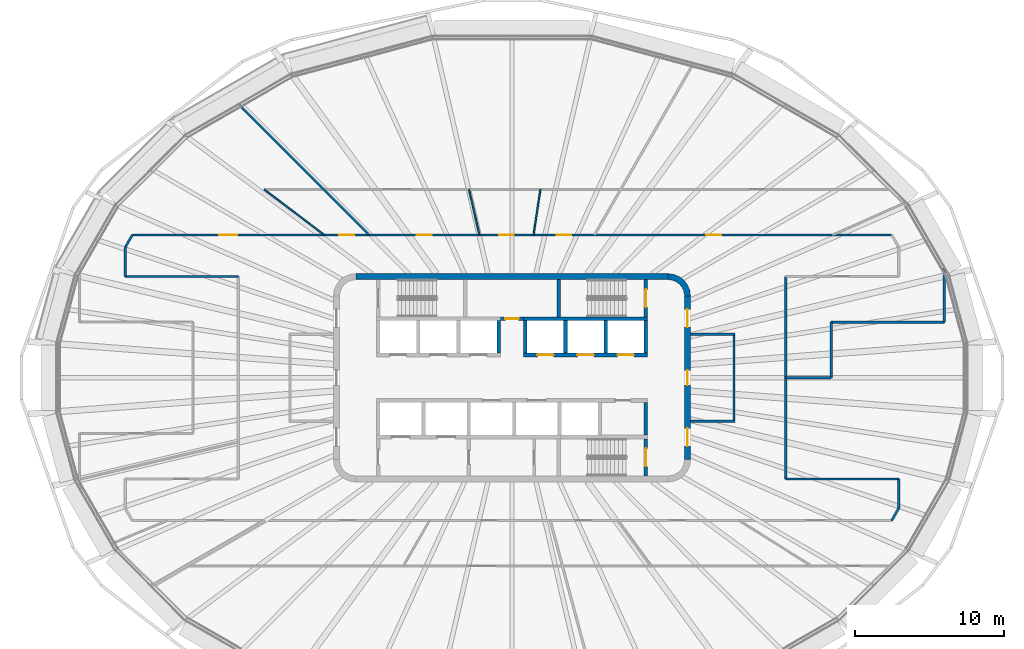
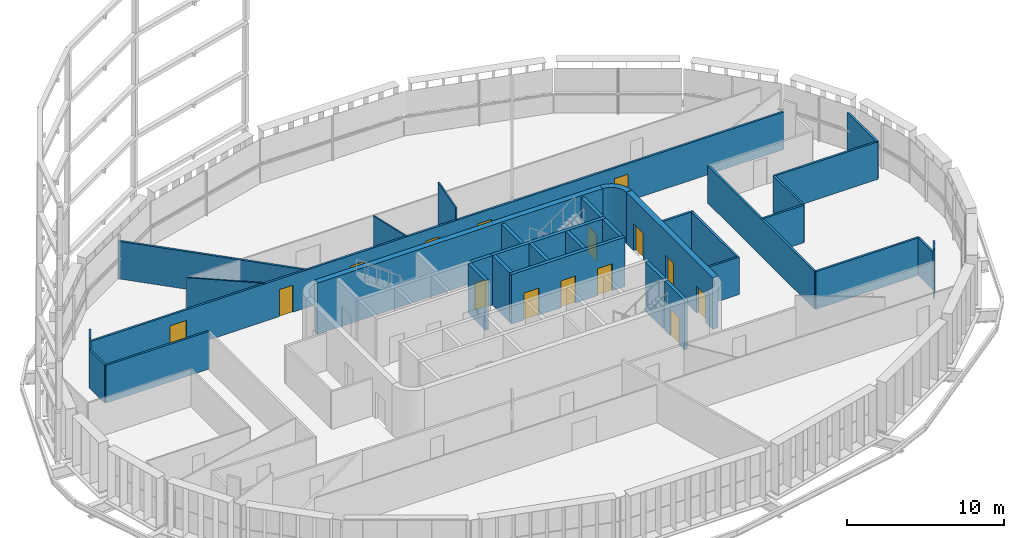
# One storey, part 11 of 20: 34 walls, 15 doors, 15 openings.
"""IFC4 building model written with IfcOpenShell, lengths in metres."""

from ifc_helpers import new_model, si_unit, direction, frame, frame_2d, origin, place, context, subcontext, project, spatial, polyline, rectangle, outline, extrude, material, layer, layer_set, type_object, element, fill, save


model = new_model("IFC4")

# Units and contexts
model_context = context("Model", 3, precision=1e-05, world=origin(), true_north=direction((0.0, 1.0)))
body_context = subcontext(model_context, "Body", "Model", "MODEL_VIEW")
ifc_project = project(units=[si_unit("LENGTHUNIT", "METRE"), si_unit("AREAUNIT", "SQUARE_METRE"), si_unit("VOLUMEUNIT", "CUBIC_METRE"), si_unit("PLANEANGLEUNIT", "RADIAN"), si_unit("MASSUNIT", "GRAM", prefix="KILO")], contexts=[model_context])

# Site, building, storey
site_placement = place(None, origin())
site = spatial("IfcSite", under=ifc_project, at=site_placement, CompositionType="ELEMENT")
building_placement = place(site_placement, origin())
building = spatial("IfcBuilding", under=site, at=building_placement, Name="Sahrelin Media Tower", CompositionType="ELEMENT")
storey_placement = place(building_placement, frame((0.0, 0.0, 213.60009765625)))
storey = spatial("IfcBuildingStorey", under=building, at=storey_placement, Name="L45", CompositionType="ELEMENT", Elevation=213.60009765625)

# Wall
ifc_material_1 = material(Name="Concrete C60/75", Category="concrete")
ifc_layer_1 = layer(ifc_material_1, 0.39990234375)
ifc_layer_set_1 = layer_set([ifc_layer_1], Name="Core wall 400")
wall_type_1 = type_object("IfcWallType", Name="Core wall 400", PredefinedType="SHEAR", material=ifc_layer_set_1)
wall_1_placement = place(storey_placement, frame((-10.5, 6.800048828125, 0.0), z_axis=(0.0, 0.0, 1.0), x_axis=(1.0, 0.0, 0.0)))
element("IfcWall", 1, at=wall_1_placement, inside=storey, type_object=wall_type_1, Name="Core wall N L45", PredefinedType="SHEAR", context=body_context, shape_type="SweptSolid", body=[
    extrude(rectangle(XDim=21.0, YDim=0.39990234375, at=frame_2d((10.5, 0.0))), origin(), (0.0, 0.0, 1.0), 4.0),
])

# Wall, openings, doors
wall_2_placement = place(storey_placement, frame((11.800048828125, -5.5, 0.0), z_axis=(0.0, 0.0, 1.0), x_axis=(0.0, 1.0, 0.0)))
wall_2 = element("IfcWall", 2, at=wall_2_placement, inside=storey, type_object=wall_type_1, Name="Core wall E L45", PredefinedType="SHEAR", context=body_context, shape_type="SweptSolid", body=[
    extrude(rectangle(XDim=11.0, YDim=0.39990234375, at=frame_2d((5.5, 0.0))), origin(), (0.0, 0.0, 1.0), 4.0),
])
opening_1_placement = place(wall_2_placement, frame((5.0, 0.0, 0.0)))
opening_1 = element("IfcOpeningElement", 3, at=opening_1_placement, cuts=wall_2, Name="Opening L45-D10", PredefinedType="OPENING", context=body_context, shape_type="SweptSolid", body=[
    extrude(rectangle(XDim=1.0, YDim=2.10009765625, at=frame_2d((0.5, 1.050048828125))), frame((0.0, 0.199951171875, 0.0), z_axis=(0.0, -1.0, 0.0), x_axis=(1.0, 0.0, 0.0)), (0.0, 0.0, 1.0), 0.39990234375),
])
opening_2_placement = place(wall_2_placement, frame((0.89990234375, 0.0, 0.0)))
opening_2 = element("IfcOpeningElement", 4, at=opening_2_placement, cuts=wall_2, Name="Opening L45-D13", PredefinedType="OPENING", context=body_context, shape_type="SweptSolid", body=[
    extrude(rectangle(XDim=1.199951171875, YDim=2.10009765625, at=frame_2d((0.60009765625, 1.050048828125))), frame((0.0, 0.199951171875, 0.0), z_axis=(0.0, -1.0, 0.0), x_axis=(1.0, 0.0, 0.0)), (0.0, 0.0, 1.0), 0.39990234375),
])
opening_3_placement = place(wall_2_placement, frame((8.89990234375, 0.0, 0.0)))
opening_3 = element("IfcOpeningElement", 5, at=opening_3_placement, cuts=wall_2, Name="Opening L45-D14", PredefinedType="OPENING", context=body_context, shape_type="SweptSolid", body=[
    extrude(rectangle(XDim=1.199951171875, YDim=2.10009765625, at=frame_2d((0.60009765625, 1.050048828125))), frame((0.0, 0.199951171875, 0.0), z_axis=(0.0, -1.0, 0.0), x_axis=(1.0, 0.0, 0.0)), (0.0, 0.0, 1.0), 0.39990234375),
])
ifc_material_2 = material(Name="Steel fire door leaf", Category="steel")
door_type_1 = type_object("IfcDoorType", Name="Fire door 1000 x 2100 EI 60", OperationType="NOTDEFINED", PredefinedType="DOOR", material=ifc_material_2)
door_1_placement = place(opening_1_placement, origin())
door_1 = element("IfcDoor", 6, at=door_1_placement, inside=storey, type_object=door_type_1, Name="Core room door", OperationType="SINGLE_SWING_RIGHT", OverallHeight=2.10009765625, OverallWidth=1.0, PredefinedType="DOOR", context=body_context, shape_type="SweptSolid", body=[
    extrude(rectangle(XDim=1.0, YDim=2.10009765625, at=frame_2d((0.5, 1.050048828125))), frame((0.0, 0.02490234375, 0.0), z_axis=(0.0, -1.0, 0.0), x_axis=(1.0, 0.0, 0.0)), (0.0, 0.0, 1.0), 0.050048828125),
])
fill(opening_1, door_1)
door_type_2 = type_object("IfcDoorType", Name="Lobby door 1200 x 2100 EI 60", OperationType="NOTDEFINED", PredefinedType="DOOR", material=ifc_material_2)
door_2_placement = place(opening_2_placement, origin())
door_2 = element("IfcDoor", 7, at=door_2_placement, inside=storey, type_object=door_type_2, Name="Lobby door", OperationType="SINGLE_SWING_LEFT", OverallHeight=2.10009765625, OverallWidth=1.199951171875, PredefinedType="DOOR", context=body_context, shape_type="SweptSolid", body=[
    extrude(rectangle(XDim=1.199951171875, YDim=2.10009765625, at=frame_2d((0.60009765625, 1.050048828125))), frame((0.0, 0.02490234375, 0.0), z_axis=(0.0, -1.0, 0.0), x_axis=(1.0, 0.0, 0.0)), (0.0, 0.0, 1.0), 0.050048828125),
])
fill(opening_2, door_2)
door_3_placement = place(opening_3_placement, origin())
door_3 = element("IfcDoor", 8, at=door_3_placement, inside=storey, type_object=door_type_2, Name="Lobby door", OperationType="SINGLE_SWING_LEFT", OverallHeight=2.10009765625, OverallWidth=1.199951171875, PredefinedType="DOOR", context=body_context, shape_type="SweptSolid", body=[
    extrude(rectangle(XDim=1.199951171875, YDim=2.10009765625, at=frame_2d((0.60009765625, 1.050048828125))), frame((0.0, 0.02490234375, 0.0), z_axis=(0.0, -1.0, 0.0), x_axis=(1.0, 0.0, 0.0)), (0.0, 0.0, 1.0), 0.050048828125),
])
fill(opening_3, door_3)

# Wall
wall_3_placement = place(storey_placement, origin())
element("IfcWall", 9, at=wall_3_placement, inside=storey, type_object=wall_type_1, Name="Core wall corner NE L45", PredefinedType="SHEAR", context=body_context, shape_type="SweptSolid", body=[
    extrude(outline(polyline([(10.5, 7.0), (10.5, 6.596435546875), (10.78369140625, 6.55908203125), (11.04833984375, 6.44970703125), (11.275390625, 6.275390625), (11.44970703125, 6.04833984375), (11.55908203125, 5.78369140625), (11.596435546875, 5.5), (12.0, 5.5), (11.948974609375, 5.88818359375), (11.799072265625, 6.25), (11.560791015625, 6.560791015625), (11.25, 6.799072265625), (10.88818359375, 6.948974609375), (10.5, 7.0)])), origin(), (0.0, 0.0, 1.0), 4.0),
])

# Wall, opening, door
ifc_material_3 = material(Name="Fire-rated gypsum board partition")
ifc_layer_2 = layer(ifc_material_3, 0.25)
ifc_layer_set_2 = layer_set([ifc_layer_2], Name="Fire-rated lobby wall 250")
wall_type_2 = type_object("IfcWallType", Name="Fire-rated lobby wall 250", PredefinedType="PARTITIONING", material=ifc_layer_set_2)
wall_4_placement = place(storey_placement, frame((-0.77490234375, 3.97509765625, 0.0), z_axis=(0.0, 0.0, 1.0), x_axis=(1.0, 0.0, 0.0)))
wall_4 = element("IfcWall", 10, at=wall_4_placement, inside=storey, type_object=wall_type_2, Name="Core lobby wall", PredefinedType="PARTITIONING", context=body_context, shape_type="SweptSolid", body=[
    extrude(rectangle(XDim=1.5498046875, YDim=0.25, at=frame_2d((0.77490234375, 0.0))), origin(), (0.0, 0.0, 1.0), 3.849853515625),
])
opening_4_placement = place(wall_4_placement, frame((0.324951171875, 0.0, 0.0)))
opening_4 = element("IfcOpeningElement", 11, at=opening_4_placement, cuts=wall_4, Name="Opening L45-D06", PredefinedType="OPENING", context=body_context, shape_type="SweptSolid", body=[
    extrude(rectangle(XDim=0.89990234375, YDim=2.10009765625, at=frame_2d((0.449951171875, 1.050048828125))), frame((0.0, 0.125, 0.0), z_axis=(0.0, -1.0, 0.0), x_axis=(1.0, 0.0, 0.0)), (0.0, 0.0, 1.0), 0.25),
])
door_type_3 = type_object("IfcDoorType", Name="Riser door 900 x 2100 EI 120", OperationType="NOTDEFINED", PredefinedType="DOOR", material=ifc_material_2)
door_4_placement = place(opening_4_placement, origin())
door_4 = element("IfcDoor", 12, at=door_4_placement, inside=storey, type_object=door_type_3, Name="Core room door", OperationType="SINGLE_SWING_LEFT", OverallHeight=2.10009765625, OverallWidth=0.89990234375, PredefinedType="DOOR", context=body_context, shape_type="SweptSolid", body=[
    extrude(rectangle(XDim=0.89990234375, YDim=2.10009765625, at=frame_2d((0.449951171875, 1.050048828125))), frame((0.0, 0.02490234375, 0.0), z_axis=(0.0, -1.0, 0.0), x_axis=(1.0, 0.0, 0.0)), (0.0, 0.0, 1.0), 0.050048828125),
])
fill(opening_4, door_4)

# Walls
ifc_layer_3 = layer(ifc_material_3, 0.14990234375)
ifc_layer_set_3 = layer_set([ifc_layer_3], Name="Fire-rated partition 150")
wall_type_3 = type_object("IfcWallType", Name="Fire-rated partition 150", PredefinedType="PARTITIONING", material=ifc_layer_set_3)
wall_5_placement = place(storey_placement, frame((14.925048828125, -2.85009765625, 0.0), z_axis=(0.0, 0.0, 1.0), x_axis=(0.0, 1.0, 0.0)))
element("IfcWall", 13, at=wall_5_placement, inside=storey, type_object=wall_type_3, Name="Core room fire partition", PredefinedType="PARTITIONING", context=body_context, shape_type="SweptSolid", body=[
    extrude(rectangle(XDim=5.7001953125, YDim=0.14990234375, at=frame_2d((2.85009765625, 0.0))), origin(), (0.0, 0.0, 1.0), 2.918212890625),
])
for number, where, z_axis, x_axis, name in (
    (14, (12.0, 2.925048828125, 0.0), (0.0, 0.0, 1.0), (1.0, 0.0, 0.0), "Core room fire partition"),
    (15, (12.0, -2.925048828125, 0.0), (0.0, 0.0, 1.0), (1.0, 0.0, 0.0), "Core room fire partition"),
):
    element("IfcWall", number, at=place(storey_placement, frame(where, z_axis=z_axis, x_axis=x_axis)), inside=storey, type_object=wall_type_3, Name=name, PredefinedType="PARTITIONING", context=body_context, shape_type="SweptSolid", body=[
        extrude(rectangle(XDim=3.0, YDim=0.14990234375, at=frame_2d((1.5, 0.0))), origin(), (0.0, 0.0, 1.0), 2.918212890625),
    ])
wall_6_placement = place(storey_placement, frame((-18.383056640625, 18.383056640625, 0.0), z_axis=(0.0, 0.0, 1.0), x_axis=(0.707106781187, -0.707106781187, 0.0)))
element("IfcWall", 16, at=wall_6_placement, inside=storey, type_object=wall_type_3, Name="Wall", PredefinedType="PARTITIONING", context=body_context, shape_type="SweptSolid", body=[
    extrude(rectangle(XDim=12.4208984375, YDim=0.14990234375, at=frame_2d((6.21044921875, 0.0))), origin(), (0.0, 0.0, 1.0), 2.927001953125),
])
wall_7_placement = place(storey_placement, frame((18.39990234375, -6.800048828125, 0.0), z_axis=(0.0, 0.0, 1.0), x_axis=(1.0, 0.0, 0.0)))
element("IfcWall", 17, at=wall_7_placement, inside=storey, type_object=wall_type_3, Name="Wall", PredefinedType="PARTITIONING", context=body_context, shape_type="SweptSolid", body=[
    extrude(rectangle(XDim=7.60009765625, YDim=0.14990234375, at=frame_2d((3.800048828125, 0.0))), origin(), (0.0, 0.0, 1.0), 2.927001953125),
])
wall_8_placement = place(storey_placement, frame((18.39990234375, 0.0, 0.0), z_axis=(0.0, 0.0, 1.0), x_axis=(1.0, 0.0, 0.0)))
element("IfcWall", 18, at=wall_8_placement, inside=storey, type_object=wall_type_3, Name="Wall", PredefinedType="PARTITIONING", context=body_context, shape_type="SweptSolid", body=[
    extrude(rectangle(XDim=3.06005859375, YDim=0.14990234375, at=frame_2d((1.530029296875, 0.0))), origin(), (0.0, 0.0, 1.0), 2.918212890625),
])
wall_9_placement = place(storey_placement, frame((21.4599609375, 3.739990234375, 0.0), z_axis=(0.0, 0.0, 1.0), x_axis=(1.0, 0.0, 0.0)))
element("IfcWall", 19, at=wall_9_placement, inside=storey, type_object=wall_type_3, Name="Wall", PredefinedType="PARTITIONING", context=body_context, shape_type="SweptSolid", body=[
    extrude(rectangle(XDim=7.60009765625, YDim=0.14990234375, at=frame_2d((3.800048828125, 0.0))), origin(), (0.0, 0.0, 1.0), 2.918212890625),
])
wall_10_placement = place(storey_placement, frame((-26.0, 6.800048828125, 0.0), z_axis=(0.0, 0.0, 1.0), x_axis=(1.0, 0.0, 0.0)))
element("IfcWall", 20, at=wall_10_placement, inside=storey, type_object=wall_type_3, Name="Wall", PredefinedType="PARTITIONING", context=body_context, shape_type="SweptSolid", body=[
    extrude(rectangle(XDim=7.60009765625, YDim=0.14990234375, at=frame_2d((3.800048828125, 0.0))), origin(), (0.0, 0.0, 1.0), 2.927001953125),
])

# Wall, openings, doors
wall_11_placement = place(storey_placement, frame((-25.52197265625, 9.60009765625, 0.0), z_axis=(0.0, 0.0, 1.0), x_axis=(1.0, 0.0, 0.0)))
wall_11 = element("IfcWall", 21, at=wall_11_placement, inside=storey, type_object=wall_type_3, Name="Wall", PredefinedType="PARTITIONING", context=body_context, shape_type="SweptSolid", body=[
    extrude(rectangle(XDim=51.0439453125, YDim=0.14990234375, at=frame_2d((25.52197265625, 0.0))), origin(), (0.0, 0.0, 1.0), 2.927001953125),
])
opening_5_placement = place(wall_11_placement, frame((28.51708984375, 0.0, 0.0)))
opening_5 = element("IfcOpeningElement", 22, at=opening_5_placement, cuts=wall_11, Name="Opening L45-D15", PredefinedType="OPENING", context=body_context, shape_type="SweptSolid", body=[
    extrude(rectangle(XDim=1.0, YDim=2.10009765625, at=frame_2d((0.5, 1.050048828125))), frame((0.0, 0.074951171875, 0.0), z_axis=(0.0, -1.0, 0.0), x_axis=(1.0, 0.0, 0.0)), (0.0, 0.0, 1.0), 0.14990234375),
])
opening_6_placement = place(wall_11_placement, frame((24.64990234375, 0.0, 0.0)))
opening_6 = element("IfcOpeningElement", 23, at=opening_6_placement, cuts=wall_11, Name="Opening L45-D16", PredefinedType="OPENING", context=body_context, shape_type="SweptSolid", body=[
    extrude(rectangle(XDim=1.0, YDim=2.10009765625, at=frame_2d((0.5, 1.050048828125))), frame((0.0, 0.074951171875, 0.0), z_axis=(0.0, -1.0, 0.0), x_axis=(1.0, 0.0, 0.0)), (0.0, 0.0, 1.0), 0.14990234375),
])
opening_7_placement = place(wall_11_placement, frame((19.12646484375, 0.0, 0.0)))
opening_7 = element("IfcOpeningElement", 24, at=opening_7_placement, cuts=wall_11, Name="Opening L45-D17", PredefinedType="OPENING", context=body_context, shape_type="SweptSolid", body=[
    extrude(rectangle(XDim=1.0, YDim=2.10009765625, at=frame_2d((0.5, 1.050048828125))), frame((0.0, 0.074951171875, 0.0), z_axis=(0.0, -1.0, 0.0), x_axis=(1.0, 0.0, 0.0)), (0.0, 0.0, 1.0), 0.14990234375),
])
opening_8_placement = place(wall_11_placement, frame((13.909423828125, 0.0, 0.0)))
opening_8 = element("IfcOpeningElement", 25, at=opening_8_placement, cuts=wall_11, Name="Opening L45-D19", PredefinedType="OPENING", context=body_context, shape_type="SweptSolid", body=[
    extrude(rectangle(XDim=1.0, YDim=2.10009765625, at=frame_2d((0.5, 1.050048828125))), frame((0.0, 0.074951171875, 0.0), z_axis=(0.0, -1.0, 0.0), x_axis=(1.0, 0.0, 0.0)), (0.0, 0.0, 1.0), 0.14990234375),
])
opening_9_placement = place(wall_11_placement, frame((5.848388671875, 0.0, 0.0)))
opening_9 = element("IfcOpeningElement", 26, at=opening_9_placement, cuts=wall_11, Name="Opening L45-D20", PredefinedType="OPENING", context=body_context, shape_type="SweptSolid", body=[
    extrude(rectangle(XDim=1.199951171875, YDim=2.10009765625, at=frame_2d((0.60009765625, 1.050048828125))), frame((0.0, 0.074951171875, 0.0), z_axis=(0.0, -1.0, 0.0), x_axis=(1.0, 0.0, 0.0)), (0.0, 0.0, 1.0), 0.14990234375),
])
opening_10_placement = place(wall_11_placement, frame((38.574951171875, 0.0, 0.0)))
opening_10 = element("IfcOpeningElement", 27, at=opening_10_placement, cuts=wall_11, Name="Opening L45-D32", PredefinedType="OPENING", context=body_context, shape_type="SweptSolid", body=[
    extrude(rectangle(XDim=1.0, YDim=2.10009765625, at=frame_2d((0.5, 1.050048828125))), frame((0.0, 0.074951171875, 0.0), z_axis=(0.0, -1.0, 0.0), x_axis=(1.0, 0.0, 0.0)), (0.0, 0.0, 1.0), 0.14990234375),
])
door_5_placement = place(opening_5_placement, origin())
door_5 = element("IfcDoor", 28, at=door_5_placement, inside=storey, type_object=door_type_1, Name="Fire door", OperationType="SINGLE_SWING_RIGHT", OverallHeight=2.10009765625, OverallWidth=1.0, PredefinedType="DOOR", context=body_context, shape_type="SweptSolid", body=[
    extrude(rectangle(XDim=1.0, YDim=2.10009765625, at=frame_2d((0.5, 1.050048828125))), frame((0.0, 0.02490234375, 0.0), z_axis=(0.0, -1.0, 0.0), x_axis=(1.0, 0.0, 0.0)), (0.0, 0.0, 1.0), 0.050048828125),
])
fill(opening_5, door_5)
door_6_placement = place(opening_6_placement, origin())
door_6 = element("IfcDoor", 29, at=door_6_placement, inside=storey, type_object=door_type_1, Name="Fire door", OperationType="SINGLE_SWING_RIGHT", OverallHeight=2.10009765625, OverallWidth=1.0, PredefinedType="DOOR", context=body_context, shape_type="SweptSolid", body=[
    extrude(rectangle(XDim=1.0, YDim=2.10009765625, at=frame_2d((0.5, 1.050048828125))), frame((0.0, 0.02490234375, 0.0), z_axis=(0.0, -1.0, 0.0), x_axis=(1.0, 0.0, 0.0)), (0.0, 0.0, 1.0), 0.050048828125),
])
fill(opening_6, door_6)
door_7_placement = place(opening_7_placement, origin())
door_7 = element("IfcDoor", 30, at=door_7_placement, inside=storey, type_object=door_type_1, Name="Fire door", OperationType="SINGLE_SWING_LEFT", OverallHeight=2.10009765625, OverallWidth=1.0, PredefinedType="DOOR", context=body_context, shape_type="SweptSolid", body=[
    extrude(rectangle(XDim=1.0, YDim=2.10009765625, at=frame_2d((0.5, 1.050048828125))), frame((0.0, 0.02490234375, 0.0), z_axis=(0.0, -1.0, 0.0), x_axis=(1.0, 0.0, 0.0)), (0.0, 0.0, 1.0), 0.050048828125),
])
fill(opening_7, door_7)
door_8_placement = place(opening_8_placement, origin())
door_8 = element("IfcDoor", 31, at=door_8_placement, inside=storey, type_object=door_type_1, Name="Fire door", OperationType="SINGLE_SWING_LEFT", OverallHeight=2.10009765625, OverallWidth=1.0, PredefinedType="DOOR", context=body_context, shape_type="SweptSolid", body=[
    extrude(rectangle(XDim=1.0, YDim=2.10009765625, at=frame_2d((0.5, 1.050048828125))), frame((0.0, 0.02490234375, 0.0), z_axis=(0.0, -1.0, 0.0), x_axis=(1.0, 0.0, 0.0)), (0.0, 0.0, 1.0), 0.050048828125),
])
fill(opening_8, door_8)
door_9_placement = place(opening_10_placement, origin())
door_9 = element("IfcDoor", 32, at=door_9_placement, inside=storey, type_object=door_type_1, Name="Fire door", OperationType="SINGLE_SWING_LEFT", OverallHeight=2.10009765625, OverallWidth=1.0, PredefinedType="DOOR", context=body_context, shape_type="SweptSolid", body=[
    extrude(rectangle(XDim=1.0, YDim=2.10009765625, at=frame_2d((0.5, 1.050048828125))), frame((0.0, 0.02490234375, 0.0), z_axis=(0.0, -1.0, 0.0), x_axis=(1.0, 0.0, 0.0)), (0.0, 0.0, 1.0), 0.050048828125),
])
fill(opening_10, door_9)
door_type_4 = type_object("IfcDoorType", Name="Service double door 1200 x 2100 EI 60", OperationType="DOUBLE_DOOR_SINGLE_SWING", PredefinedType="DOOR", material=ifc_material_2)
door_10_placement = place(opening_9_placement, origin())
door_10 = element("IfcDoor", 33, at=door_10_placement, inside=storey, type_object=door_type_4, Name="Service double door", OperationType="DOUBLE_DOOR_SINGLE_SWING", OverallHeight=2.10009765625, OverallWidth=1.199951171875, PredefinedType="DOOR", context=body_context, shape_type="SweptSolid", body=[
    extrude(rectangle(XDim=1.199951171875, YDim=2.10009765625, at=frame_2d((0.60009765625, 1.050048828125))), frame((0.0, 0.02490234375, 0.0), z_axis=(0.0, -1.0, 0.0), x_axis=(1.0, 0.0, 0.0)), (0.0, 0.0, 1.0), 0.050048828125),
])
fill(opening_9, door_10)

# Walls
wall_12_placement = place(storey_placement, frame((25.52099609375, -9.60009765625, 0.0), z_axis=(0.0, 0.0, 1.0), x_axis=(0.499950501706, 0.866053979752, 0.0)))
element("IfcWall", 34, at=wall_12_placement, inside=storey, type_object=wall_type_3, Name="Wall", PredefinedType="PARTITIONING", context=body_context, shape_type="SweptSolid", body=[
    extrude(rectangle(XDim=0.95751953125, YDim=0.14990234375, at=frame_2d((0.478759765625, 0.0))), origin(), (0.0, 0.0, 1.0), 3.849853515625),
])
wall_13_placement = place(storey_placement, frame((-26.0, 8.77099609375, 0.0), z_axis=(0.0, 0.0, 1.0), x_axis=(0.499980071345, 0.866036909293, 0.0)))
element("IfcWall", 35, at=wall_13_placement, inside=storey, type_object=wall_type_3, Name="Wall", PredefinedType="PARTITIONING", context=body_context, shape_type="SweptSolid", body=[
    extrude(rectangle(XDim=0.95703125, YDim=0.14990234375, at=frame_2d((0.478515625, 0.0))), origin(), (0.0, 0.0, 1.0), 3.849853515625),
])
wall_14_placement = place(storey_placement, frame((29.06005859375, 3.739990234375, 0.0), z_axis=(0.0, 0.0, 1.0), x_axis=(0.0, 1.0, 0.0)))
element("IfcWall", 36, at=wall_14_placement, inside=storey, type_object=wall_type_3, Name="Wall", PredefinedType="PARTITIONING", context=body_context, shape_type="SweptSolid", body=[
    extrude(rectangle(XDim=3.72998046875, YDim=0.14990234375, at=frame_2d((1.864990234375, 0.0))), origin(), (0.0, 0.0, 1.0), 2.918212890625),
])
wall_15_placement = place(storey_placement, frame((26.0, -8.77099609375, 0.0), z_axis=(0.0, 0.0, 1.0), x_axis=(0.0, 1.0, 0.0)))
element("IfcWall", 37, at=wall_15_placement, inside=storey, type_object=wall_type_3, Name="Wall", PredefinedType="PARTITIONING", context=body_context, shape_type="SweptSolid", body=[
    extrude(rectangle(XDim=1.970947265625, YDim=0.14990234375, at=frame_2d((0.9853515625, 0.0))), origin(), (0.0, 0.0, 1.0), 2.927001953125),
])
wall_16_placement = place(storey_placement, frame((21.4599609375, 0.0, 0.0), z_axis=(0.0, 0.0, 1.0), x_axis=(0.0, 1.0, 0.0)))
element("IfcWall", 38, at=wall_16_placement, inside=storey, type_object=wall_type_3, Name="Wall", PredefinedType="PARTITIONING", context=body_context, shape_type="SweptSolid", body=[
    extrude(rectangle(XDim=3.739990234375, YDim=0.14990234375, at=frame_2d((1.8701171875, 0.0))), origin(), (0.0, 0.0, 1.0), 2.918212890625),
])
wall_17_placement = place(storey_placement, frame((18.39990234375, -6.800048828125, 0.0), z_axis=(0.0, 0.0, 1.0), x_axis=(0.0, 1.0, 0.0)))
element("IfcWall", 39, at=wall_17_placement, inside=storey, type_object=wall_type_3, Name="Wall", PredefinedType="PARTITIONING", context=body_context, shape_type="SweptSolid", body=[
    extrude(rectangle(XDim=13.60009765625, YDim=0.14990234375, at=frame_2d((6.800048828125, 0.0))), origin(), (0.0, 0.0, 1.0), 2.918212890625),
])
wall_18_placement = place(storey_placement, frame((-26.0, 6.800048828125, 0.0), z_axis=(0.0, 0.0, 1.0), x_axis=(0.0, 1.0, 0.0)))
element("IfcWall", 40, at=wall_18_placement, inside=storey, type_object=wall_type_3, Name="Wall", PredefinedType="PARTITIONING", context=body_context, shape_type="SweptSolid", body=[
    extrude(rectangle(XDim=1.970947265625, YDim=0.14990234375, at=frame_2d((0.9853515625, 0.0))), origin(), (0.0, 0.0, 1.0), 2.927001953125),
])

# Wall, openings, doors
ifc_layer_4 = layer(ifc_material_1, 0.25)
ifc_layer_set_4 = layer_set([ifc_layer_4], Name="Lift shaft wall 250")
wall_type_4 = type_object("IfcWallType", Name="Lift shaft wall 250", PredefinedType="SOLIDWALL", material=ifc_layer_set_4)
wall_19_placement = place(storey_placement, frame((0.77490234375, 1.52490234375, 0.0), z_axis=(0.0, 0.0, 1.0), x_axis=(1.0, 0.0, 0.0)))
wall_19 = element("IfcWall", 41, at=wall_19_placement, inside=storey, type_object=wall_type_4, Name="Lift shaft wall", PredefinedType="SOLIDWALL", context=body_context, shape_type="SweptSolid", body=[
    extrude(rectangle(XDim=8.35009765625, YDim=0.25, at=frame_2d((4.175048828125, 0.0))), origin(), (0.0, 0.0, 1.0), 3.849853515625),
])
opening_11_placement = place(wall_19_placement, frame((0.925048828125, 0.0, 0.0)))
opening_11 = element("IfcOpeningElement", 42, at=opening_11_placement, cuts=wall_19, Name="Opening L45-LD-HR4", PredefinedType="OPENING", context=body_context, shape_type="SweptSolid", body=[
    extrude(rectangle(XDim=1.10009765625, YDim=2.10009765625, at=frame_2d((0.550048828125, 1.050048828125))), frame((0.0, 0.125, 0.0), z_axis=(0.0, -1.0, 0.0), x_axis=(1.0, 0.0, 0.0)), (0.0, 0.0, 1.0), 0.25),
])
opening_12_placement = place(wall_19_placement, frame((3.625, 0.0, 0.0)))
opening_12 = element("IfcOpeningElement", 43, at=opening_12_placement, cuts=wall_19, Name="Opening L45-LD-HR5", PredefinedType="OPENING", context=body_context, shape_type="SweptSolid", body=[
    extrude(rectangle(XDim=1.10009765625, YDim=2.10009765625, at=frame_2d((0.550048828125, 1.050048828125))), frame((0.0, 0.125, 0.0), z_axis=(0.0, -1.0, 0.0), x_axis=(1.0, 0.0, 0.0)), (0.0, 0.0, 1.0), 0.25),
])
opening_13_placement = place(wall_19_placement, frame((6.324951171875, 0.0, 0.0)))
opening_13 = element("IfcOpeningElement", 44, at=opening_13_placement, cuts=wall_19, Name="Opening L45-LD-HR6", PredefinedType="OPENING", context=body_context, shape_type="SweptSolid", body=[
    extrude(rectangle(XDim=1.10009765625, YDim=2.10009765625, at=frame_2d((0.550048828125, 1.050048828125))), frame((0.0, 0.125, 0.0), z_axis=(0.0, -1.0, 0.0), x_axis=(1.0, 0.0, 0.0)), (0.0, 0.0, 1.0), 0.25),
])
ifc_material_4 = material(Name="Stainless steel", Category="steel")
door_type_5 = type_object("IfcDoorType", Name="Lift landing door 1100 x 2100 EI 120", OperationType="DOUBLE_DOOR_SLIDING", PredefinedType="DOOR", material=ifc_material_4)
door_11_placement = place(opening_11_placement, origin())
door_11 = element("IfcDoor", 45, at=door_11_placement, inside=storey, type_object=door_type_5, Name="Lift landing door HR4", OperationType="DOUBLE_DOOR_SLIDING", OverallHeight=2.10009765625, OverallWidth=1.10009765625, PredefinedType="DOOR", context=body_context, shape_type="SweptSolid", body=[
    extrude(rectangle(XDim=1.10009765625, YDim=2.10009765625, at=frame_2d((0.550048828125, 1.050048828125))), frame((0.0, 0.02490234375, 0.0), z_axis=(0.0, -1.0, 0.0), x_axis=(1.0, 0.0, 0.0)), (0.0, 0.0, 1.0), 0.050048828125),
])
fill(opening_11, door_11)
door_12_placement = place(opening_12_placement, origin())
door_12 = element("IfcDoor", 46, at=door_12_placement, inside=storey, type_object=door_type_5, Name="Lift landing door HR5", OperationType="DOUBLE_DOOR_SLIDING", OverallHeight=2.10009765625, OverallWidth=1.10009765625, PredefinedType="DOOR", context=body_context, shape_type="SweptSolid", body=[
    extrude(rectangle(XDim=1.10009765625, YDim=2.10009765625, at=frame_2d((0.550048828125, 1.050048828125))), frame((0.0, 0.02490234375, 0.0), z_axis=(0.0, -1.0, 0.0), x_axis=(1.0, 0.0, 0.0)), (0.0, 0.0, 1.0), 0.050048828125),
])
fill(opening_12, door_12)
door_13_placement = place(opening_13_placement, origin())
door_13 = element("IfcDoor", 47, at=door_13_placement, inside=storey, type_object=door_type_5, Name="Lift landing door HR6", OperationType="DOUBLE_DOOR_SLIDING", OverallHeight=2.10009765625, OverallWidth=1.10009765625, PredefinedType="DOOR", context=body_context, shape_type="SweptSolid", body=[
    extrude(rectangle(XDim=1.10009765625, YDim=2.10009765625, at=frame_2d((0.550048828125, 1.050048828125))), frame((0.0, 0.02490234375, 0.0), z_axis=(0.0, -1.0, 0.0), x_axis=(1.0, 0.0, 0.0)), (0.0, 0.0, 1.0), 0.050048828125),
])
fill(opening_13, door_13)

# Walls
wall_20_placement = place(storey_placement, frame((0.77490234375, 3.97509765625, 0.0), z_axis=(0.0, 0.0, 1.0), x_axis=(1.0, 0.0, 0.0)))
element("IfcWall", 48, at=wall_20_placement, inside=storey, type_object=wall_type_4, Name="Lift shaft wall", PredefinedType="SOLIDWALL", context=body_context, shape_type="SweptSolid", body=[
    extrude(rectangle(XDim=8.35009765625, YDim=0.25, at=frame_2d((4.175048828125, 0.0))), origin(), (0.0, 0.0, 1.0), 3.849853515625),
])
for number, where, z_axis, x_axis, name in (
    (49, (9.0, 1.64990234375, 0.0), (0.0, 0.0, 1.0), (0.0, 1.0, 0.0), "Lift shaft wall"),
    (50, (6.300048828125, 1.64990234375, 0.0), (0.0, 0.0, 1.0), (0.0, 1.0, 0.0), "Lift shaft wall"),
    (51, (3.60009765625, 1.64990234375, 0.0), (0.0, 0.0, 1.0), (0.0, 1.0, 0.0), "Lift shaft wall"),
    (52, (-0.89990234375, 1.64990234375, 0.0), (0.0, 0.0, 1.0), (0.0, 1.0, 0.0), "Lift shaft wall"),
    (53, (0.89990234375, 1.64990234375, 0.0), (0.0, 0.0, 1.0), (0.0, 1.0, 0.0), "Lift shaft wall"),
    (54, (9.0, -3.85009765625, 0.0), (0.0, 0.0, 1.0), (0.0, 1.0, 0.0), "Lift shaft wall"),
):
    element("IfcWall", number, at=place(storey_placement, frame(where, z_axis=z_axis, x_axis=x_axis)), inside=storey, type_object=wall_type_4, Name=name, PredefinedType="SOLIDWALL", context=body_context, shape_type="SweptSolid", body=[
        extrude(rectangle(XDim=2.2001953125, YDim=0.25, at=frame_2d((1.10009765625, 0.0))), origin(), (0.0, 0.0, 1.0), 3.849853515625),
    ])
ifc_material_5 = material(Name="Gypsum board partition")
ifc_layer_5 = layer(ifc_material_5, 0.10009765625)
ifc_layer_set_5 = layer_set([ifc_layer_5], Name="Partition 100")
wall_type_5 = type_object("IfcWallType", Name="Partition 100", PredefinedType="PARTITIONING", material=ifc_layer_set_5)
wall_21_placement = place(storey_placement, frame((-2.888916015625, 12.659912109375, 0.0), z_axis=(0.0, 0.0, 1.0), x_axis=(0.222404443897, -0.974954492956, 0.0)))
element("IfcWall", 55, at=wall_21_placement, inside=storey, type_object=wall_type_5, Name="Wall", PredefinedType="PARTITIONING", context=body_context, shape_type="SweptSolid", body=[
    extrude(rectangle(XDim=3.138427734375, YDim=0.10009765625, at=frame_2d((1.5693359375, 0.0))), origin(), (0.0, 0.0, 1.0), 2.927001953125),
])
wall_22_placement = place(storey_placement, frame((-16.64892578125, 12.659912109375, 0.0), z_axis=(0.0, 0.0, 1.0), x_axis=(0.796006750332, -0.605287744322, 0.0)))
element("IfcWall", 56, at=wall_22_placement, inside=storey, type_object=wall_type_5, Name="Wall", PredefinedType="PARTITIONING", context=body_context, shape_type="SweptSolid", body=[
    extrude(rectangle(XDim=5.05517578125, YDim=0.10009765625, at=frame_2d((2.527587890625, 0.0))), origin(), (0.0, 0.0, 1.0), 2.927001953125),
])
wall_23_placement = place(storey_placement, frame((1.447021484375, 9.60009765625, 0.0), z_axis=(0.0, 0.0, 1.0), x_axis=(0.149270157498, 0.988796450277, 0.0)))
element("IfcWall", 57, at=wall_23_placement, inside=storey, type_object=wall_type_5, Name="Wall", PredefinedType="PARTITIONING", context=body_context, shape_type="SweptSolid", body=[
    extrude(rectangle(XDim=3.094482421875, YDim=0.10009765625, at=frame_2d((1.54736328125, 0.0))), origin(), (0.0, 0.0, 1.0), 3.849853515625),
])

# Wall, opening, door
ifc_layer_6 = layer(ifc_material_1, 0.25)
ifc_layer_set_6 = layer_set([ifc_layer_6], Name="Stair enclosure wall 250")
wall_type_6 = type_object("IfcWallType", Name="Stair enclosure wall 250", PredefinedType="SOLIDWALL", material=ifc_layer_set_6)
wall_24_placement = place(storey_placement, frame((9.0, 4.10009765625, 0.0), z_axis=(0.0, 0.0, 1.0), x_axis=(0.0, 1.0, 0.0)))
wall_24 = element("IfcWall", 58, at=wall_24_placement, inside=storey, type_object=wall_type_6, Name="Stair enclosure wall", PredefinedType="SOLIDWALL", context=body_context, shape_type="SweptSolid", body=[
    extrude(rectangle(XDim=2.5, YDim=0.25, at=frame_2d((1.25, 0.0))), origin(), (0.0, 0.0, 1.0), 3.849853515625),
])
opening_14_placement = place(wall_24_placement, frame((0.64990234375, 0.0, 0.0)))
opening_14 = element("IfcOpeningElement", 59, at=opening_14_placement, cuts=wall_24, Name="Opening L45-D02", PredefinedType="OPENING", context=body_context, shape_type="SweptSolid", body=[
    extrude(rectangle(XDim=1.199951171875, YDim=2.10009765625, at=frame_2d((0.60009765625, 1.050048828125))), frame((0.0, 0.125, 0.0), z_axis=(0.0, -1.0, 0.0), x_axis=(1.0, 0.0, 0.0)), (0.0, 0.0, 1.0), 0.25),
])
door_type_6 = type_object("IfcDoorType", Name="Stair door 1200 x 2100 EI 120", OperationType="NOTDEFINED", PredefinedType="DOOR", material=ifc_material_2)
door_14_placement = place(opening_14_placement, origin())
door_14 = element("IfcDoor", 60, at=door_14_placement, inside=storey, type_object=door_type_6, Name="Stair door ST3", OperationType="SINGLE_SWING_LEFT", OverallHeight=2.10009765625, OverallWidth=1.199951171875, PredefinedType="DOOR", context=body_context, shape_type="SweptSolid", body=[
    extrude(rectangle(XDim=1.199951171875, YDim=2.10009765625, at=frame_2d((0.60009765625, 1.050048828125))), frame((0.0, 0.02490234375, 0.0), z_axis=(0.0, -1.0, 0.0), x_axis=(1.0, 0.0, 0.0)), (0.0, 0.0, 1.0), 0.050048828125),
])
fill(opening_14, door_14)

wall_25_placement = place(storey_placement, frame((9.0, -6.60009765625, 0.0), z_axis=(0.0, 0.0, 1.0), x_axis=(0.0, 1.0, 0.0)))
wall_25 = element("IfcWall", 61, at=wall_25_placement, inside=storey, type_object=wall_type_6, Name="Stair enclosure wall", PredefinedType="SOLIDWALL", context=body_context, shape_type="SweptSolid", body=[
    extrude(rectangle(XDim=2.5, YDim=0.25, at=frame_2d((1.25, 0.0))), origin(), (0.0, 0.0, 1.0), 3.849853515625),
])
opening_15_placement = place(wall_25_placement, frame((0.64990234375, 0.0, 0.0)))
opening_15 = element("IfcOpeningElement", 62, at=opening_15_placement, cuts=wall_25, Name="Opening L45-D03", PredefinedType="OPENING", context=body_context, shape_type="SweptSolid", body=[
    extrude(rectangle(XDim=1.199951171875, YDim=2.10009765625, at=frame_2d((0.60009765625, 1.050048828125))), frame((0.0, 0.125, 0.0), z_axis=(0.0, -1.0, 0.0), x_axis=(1.0, 0.0, 0.0)), (0.0, 0.0, 1.0), 0.25),
])
door_15_placement = place(opening_15_placement, origin())
door_15 = element("IfcDoor", 63, at=door_15_placement, inside=storey, type_object=door_type_6, Name="Stair door ST2", OperationType="SINGLE_SWING_LEFT", OverallHeight=2.10009765625, OverallWidth=1.199951171875, PredefinedType="DOOR", context=body_context, shape_type="SweptSolid", body=[
    extrude(rectangle(XDim=1.199951171875, YDim=2.10009765625, at=frame_2d((0.60009765625, 1.050048828125))), frame((0.0, 0.02490234375, 0.0), z_axis=(0.0, -1.0, 0.0), x_axis=(1.0, 0.0, 0.0)), (0.0, 0.0, 1.0), 0.050048828125),
])
fill(opening_15, door_15)

# Wall
wall_26_placement = place(storey_placement, frame((3.14990234375, 4.10009765625, 0.0), z_axis=(0.0, 0.0, 1.0), x_axis=(0.0, 1.0, 0.0)))
element("IfcWall", 64, at=wall_26_placement, inside=storey, type_object=wall_type_6, Name="Stair enclosure wall", PredefinedType="SOLIDWALL", context=body_context, shape_type="SweptSolid", body=[
    extrude(rectangle(XDim=2.5, YDim=0.25, at=frame_2d((1.25, 0.0))), origin(), (0.0, 0.0, 1.0), 3.849853515625),
])

save(model, "model.ifc")
